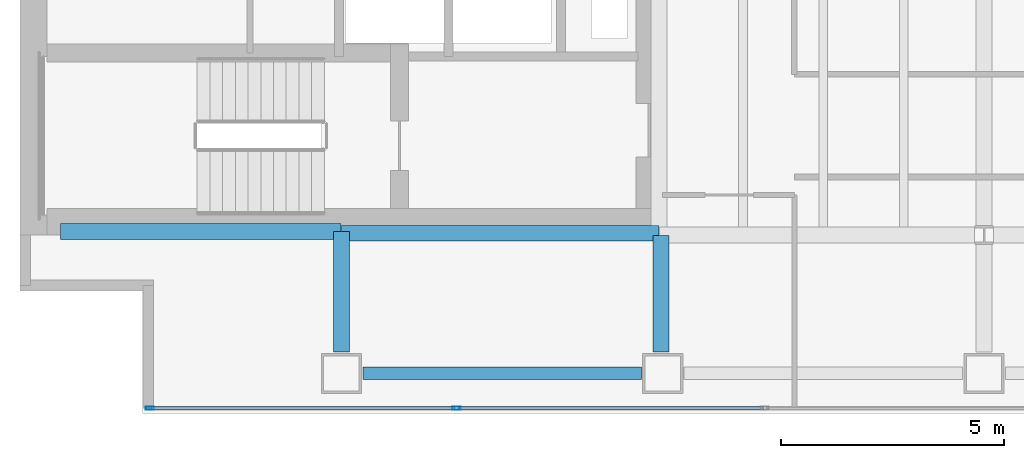
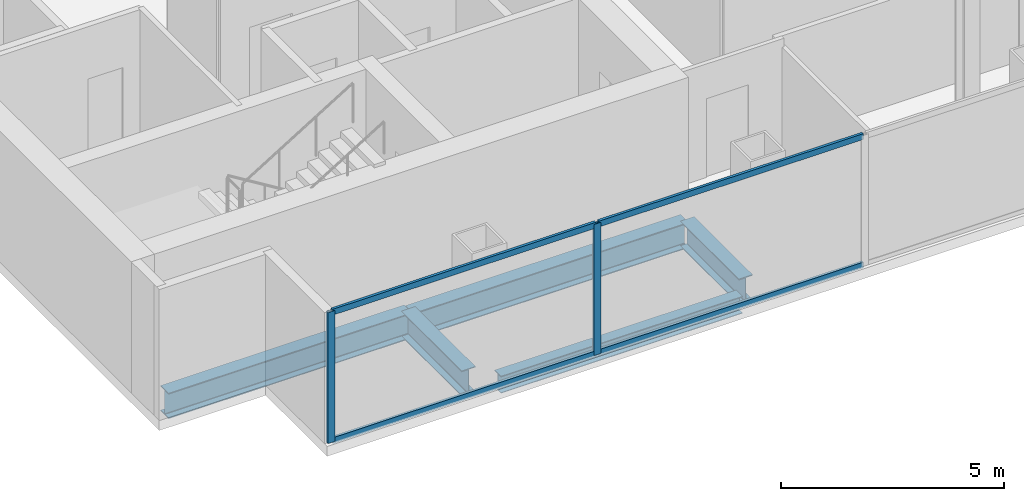
# One storey, part 2 of 23: 6 members, 5 beams, 1 element without a shape of its own.
"""IFC4 building model written with IfcOpenShell, lengths in metres."""

from ifc_helpers import new_model, si_unit, direction, frame, origin, origin_2d, place, context, subcontext, project, spatial, hollow_rectangle, i_section, extrude, material, material_profile, profile_set, type_object, element, aggregate, save


model = new_model("IFC4")

# Units and contexts
model_context = context("Model", 3, precision=1e-05, world=origin(), true_north=direction((0.0, 1.0)))
body_context = subcontext(model_context, "Body", "Model", "MODEL_VIEW")
ifc_project = project(units=[si_unit("LENGTHUNIT", "METRE"), si_unit("AREAUNIT", "SQUARE_METRE"), si_unit("VOLUMEUNIT", "CUBIC_METRE"), si_unit("PLANEANGLEUNIT", "RADIAN"), si_unit("MASSUNIT", "GRAM", prefix="KILO")], contexts=[model_context])

# Site, building, storey
site_placement = place(None, origin())
site = spatial("IfcSite", under=ifc_project, at=site_placement, CompositionType="ELEMENT")
building_placement = place(site_placement, origin())
building = spatial("IfcBuilding", under=site, at=building_placement, Name="Cobrela Telecom Tower", CompositionType="ELEMENT")
storey_placement = place(building_placement, frame((0.0, 0.0, 117.60009765625)))
storey = spatial("IfcBuildingStorey", under=building, at=storey_placement, Name="L29", CompositionType="ELEMENT", Elevation=117.60009765625)

# Beams
ifc_material_1 = material(Name="Steel ASTM A992 Grade 50", Category="steel")
ifc_material_profile_1 = material_profile(ifc_material_1, i_section(OverallWidth=0.35595703125, OverallDepth=0.696044921875, WebThickness=0.015380859375, FlangeThickness=0.024658203125, FilletRadius=0.01806640625, at=origin_2d()), Name="W27X146")
ifc_profile_set_1 = profile_set([ifc_material_profile_1], Name="Steel ASTM A992 Grade 50")
beam_type_1 = type_object("IfcBeamType", Name="BM-GIRD-05", PredefinedType="USERDEFINED", material=ifc_profile_set_1)
beam_1_placement = place(storey_placement, frame((0.905029296875, 7.280029296875, -0.6181640625), z_axis=(1.0, 0.0, 0.0), x_axis=(0.0, 1.0, 0.0)))
element("IfcBeam", 1, at=beam_1_placement, inside=storey, type_object=beam_type_1, Name="L29 Primary Girder X06", ObjectType="GIRDER", PredefinedType="USERDEFINED", context=body_context, shape_type="SweptSolid", body=[
    extrude(i_section(OverallWidth=0.35595703125, OverallDepth=0.696044921875, WebThickness=0.015380859375, FlangeThickness=0.024658203125, FilletRadius=0.01806640625, at=origin_2d()), origin(), (0.0, 0.0, 1.0), 6.2900390625),
])
beam_2_placement = place(storey_placement, frame((7.205078125, 7.239990234375, -0.6181640625), z_axis=(1.0, 0.0, 0.0), x_axis=(0.0, 1.0, 0.0)))
element("IfcBeam", 2, at=beam_2_placement, inside=storey, type_object=beam_type_1, Name="L29 Primary Girder X07", ObjectType="GIRDER", PredefinedType="USERDEFINED", context=body_context, shape_type="SweptSolid", body=[
    extrude(i_section(OverallWidth=0.35595703125, OverallDepth=0.696044921875, WebThickness=0.015380859375, FlangeThickness=0.024658203125, FilletRadius=0.01806640625, at=origin_2d()), origin(), (0.0, 0.0, 1.0), 7.10986328125),
])
beam_3_placement = place(storey_placement, frame((7.199951171875, 4.580078125, -0.6181640625), z_axis=(0.0, 1.0, 0.0), x_axis=(-1.0, 0.0, 0.0)))
element("IfcBeam", 3, at=beam_3_placement, inside=storey, type_object=beam_type_1, Name="L29 Primary Girder Y31", ObjectType="GIRDER", PredefinedType="USERDEFINED", context=body_context, shape_type="SweptSolid", body=[
    extrude(i_section(OverallWidth=0.35595703125, OverallDepth=0.696044921875, WebThickness=0.015380859375, FlangeThickness=0.024658203125, FilletRadius=0.01806640625, at=origin_2d()), origin(), (0.0, 0.0, 1.0), 2.69482421875),
])
beam_4_placement = place(storey_placement, frame((14.360107421875, 4.580078125, -0.6181640625), z_axis=(0.0, 1.0, 0.0), x_axis=(-1.0, 0.0, 0.0)))
element("IfcBeam", 4, at=beam_4_placement, inside=storey, type_object=beam_type_1, Name="L29 Primary Girder Y33", ObjectType="GIRDER", PredefinedType="USERDEFINED", context=body_context, shape_type="SweptSolid", body=[
    extrude(i_section(OverallWidth=0.35595703125, OverallDepth=0.696044921875, WebThickness=0.015380859375, FlangeThickness=0.024658203125, FilletRadius=0.01806640625, at=origin_2d()), origin(), (0.0, 0.0, 1.0), 2.614990234375),
])
ifc_material_profile_2 = material_profile(ifc_material_1, i_section(OverallWidth=0.281982421875, OverallDepth=0.467041015625, WebThickness=0.01220703125, FlangeThickness=0.01953125, FilletRadius=0.012939453125, at=origin_2d()), Name="W18X86")
ifc_profile_set_2 = profile_set([ifc_material_profile_2], Name="Steel ASTM A992 Grade 50")
beam_type_2 = type_object("IfcBeamType", Name="BM-SPAND-04", PredefinedType="SPANDREL", material=ifc_profile_set_2)
beam_5_placement = place(storey_placement, frame((7.679931640625, 4.10009765625, -0.503662109375), z_axis=(1.0, 0.0, 0.0), x_axis=(0.0, 1.0, 0.0)))
element("IfcBeam", 5, at=beam_5_placement, inside=storey, type_object=beam_type_2, Name="L29 Perimeter Spandrel X01", PredefinedType="SPANDREL", context=body_context, shape_type="SweptSolid", body=[
    extrude(i_section(OverallWidth=0.281982421875, OverallDepth=0.467041015625, WebThickness=0.01220703125, FlangeThickness=0.01953125, FilletRadius=0.012939453125, at=origin_2d()), origin(), (0.0, 0.0, 1.0), 6.239990234375),
])

# Curtain wall, members
ifc_material_2 = material(Name="Anodized Bronze Aluminium 6063-T6", Category="aluminium")
curtain_wall_type = type_object("IfcCurtainWallType", Name="CW-SYS-TEL", PredefinedType="USERDEFINED", material=ifc_material_2)
curtain_wall_placement = place(storey_placement, origin())
curtain_wall = element("IfcCurtainWall", 6, at=curtain_wall_placement, inside=storey, type_object=curtain_wall_type, Name="L29 Unitised Bronze Curtain Wall 17", ObjectType="UNITISED CURTAIN WALL", PredefinedType="USERDEFINED")
ifc_material_profile_3 = material_profile(ifc_material_2, hollow_rectangle(XDim=0.074951171875, YDim=0.179931640625, WallThickness=0.00390625, at=origin_2d()), Name="ALU 75x180x4")
ifc_profile_set_3 = profile_set([ifc_material_profile_3], Name="Anodized Bronze Aluminium 6063-T6")
member_type_1 = type_object("IfcMemberType", Name="CW-SYS-TEL-MUL", PredefinedType="MULLION", material=ifc_profile_set_3)
member_1_placement = place(storey_placement, frame((9.780029296875, 3.320068359375, 0.0), z_axis=(0.0, 0.0, 1.0), x_axis=(0.0, -1.0, 0.0)))
member_1 = element("IfcMember", 7, at=member_1_placement, type_object=member_type_1, Name="CW-TEL mullion 6", PredefinedType="MULLION", context=body_context, shape_type="SweptSolid", body=[
    extrude(hollow_rectangle(XDim=0.074951171875, YDim=0.179931640625, WallThickness=0.00390625, at=origin_2d()), origin(), (0.0, 0.0, 1.0), 3.579833984375),
])
member_2_placement = place(storey_placement, frame((2.907470703125, 3.320068359375, 0.0), z_axis=(0.0, 0.0, 1.0), x_axis=(0.0, -1.0, 0.0)))
member_2 = element("IfcMember", 8, at=member_2_placement, type_object=member_type_1, Name="CW-TEL mullion 7", PredefinedType="MULLION", context=body_context, shape_type="SweptSolid", body=[
    extrude(hollow_rectangle(XDim=0.074951171875, YDim=0.179931640625, WallThickness=0.00390625, at=origin_2d()), origin(), (0.0, 0.0, 1.0), 3.579833984375),
])
ifc_material_profile_4 = material_profile(ifc_material_2, hollow_rectangle(XDim=0.070068359375, YDim=0.159912109375, WallThickness=0.00390625, at=origin_2d()), Name="ALU 70x160x4")
ifc_profile_set_4 = profile_set([ifc_material_profile_4], Name="Anodized Bronze Aluminium 6063-T6")
member_type_2 = type_object("IfcMemberType", Name="CW-SYS-TEL-TRN", PredefinedType="USERDEFINED", material=ifc_profile_set_4)
member_3_placement = place(storey_placement, frame((16.652587890625, 3.320068359375, 0.034912109375), z_axis=(-1.0, 0.0, 0.0), x_axis=(0.0, -1.0, 0.0)))
member_3 = element("IfcMember", 9, at=member_3_placement, type_object=member_type_2, Name="CW-TEL transom 5.1", ObjectType="TRANSOM", PredefinedType="USERDEFINED", context=body_context, shape_type="SweptSolid", body=[
    extrude(hollow_rectangle(XDim=0.070068359375, YDim=0.159912109375, WallThickness=0.00390625, at=origin_2d()), origin(), (0.0, 0.0, 1.0), 6.835205078125),
])
member_4_placement = place(storey_placement, frame((16.652587890625, 3.320068359375, 3.544921875), z_axis=(-1.0, 0.0, 0.0), x_axis=(0.0, -1.0, 0.0)))
member_4 = element("IfcMember", 10, at=member_4_placement, type_object=member_type_2, Name="CW-TEL transom 5.2", ObjectType="TRANSOM", PredefinedType="USERDEFINED", context=body_context, shape_type="SweptSolid", body=[
    extrude(hollow_rectangle(XDim=0.070068359375, YDim=0.159912109375, WallThickness=0.00390625, at=origin_2d()), origin(), (0.0, 0.0, 1.0), 6.835205078125),
])
member_5_placement = place(storey_placement, frame((9.742431640625, 3.320068359375, 0.034912109375), z_axis=(-1.0, 0.0, 0.0), x_axis=(0.0, -1.0, 0.0)))
member_5 = element("IfcMember", 11, at=member_5_placement, type_object=member_type_2, Name="CW-TEL transom 6.1", ObjectType="TRANSOM", PredefinedType="USERDEFINED", context=body_context, shape_type="SweptSolid", body=[
    extrude(hollow_rectangle(XDim=0.070068359375, YDim=0.159912109375, WallThickness=0.00390625, at=origin_2d()), origin(), (0.0, 0.0, 1.0), 6.79736328125),
])
member_6_placement = place(storey_placement, frame((9.742431640625, 3.320068359375, 3.544921875), z_axis=(-1.0, 0.0, 0.0), x_axis=(0.0, -1.0, 0.0)))
member_6 = element("IfcMember", 12, at=member_6_placement, type_object=member_type_2, Name="CW-TEL transom 6.2", ObjectType="TRANSOM", PredefinedType="USERDEFINED", context=body_context, shape_type="SweptSolid", body=[
    extrude(hollow_rectangle(XDim=0.070068359375, YDim=0.159912109375, WallThickness=0.00390625, at=origin_2d()), origin(), (0.0, 0.0, 1.0), 6.79736328125),
])
aggregate(curtain_wall, [member_1, member_2, member_3, member_4, member_5, member_6])

save(model, "model.ifc")
